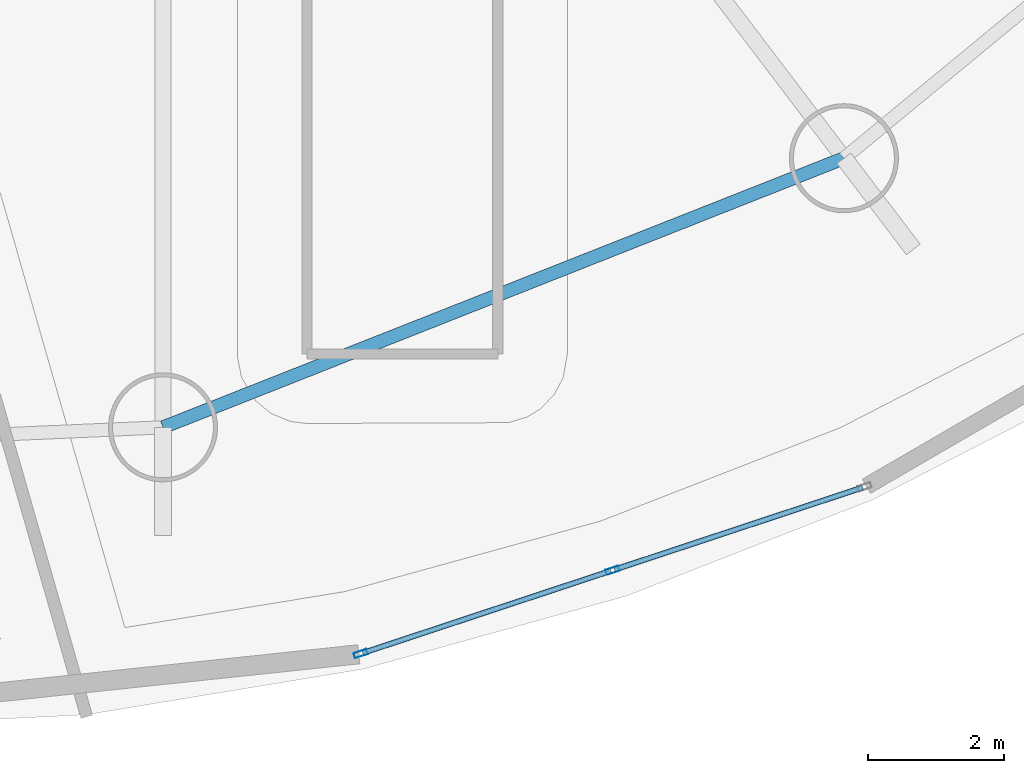
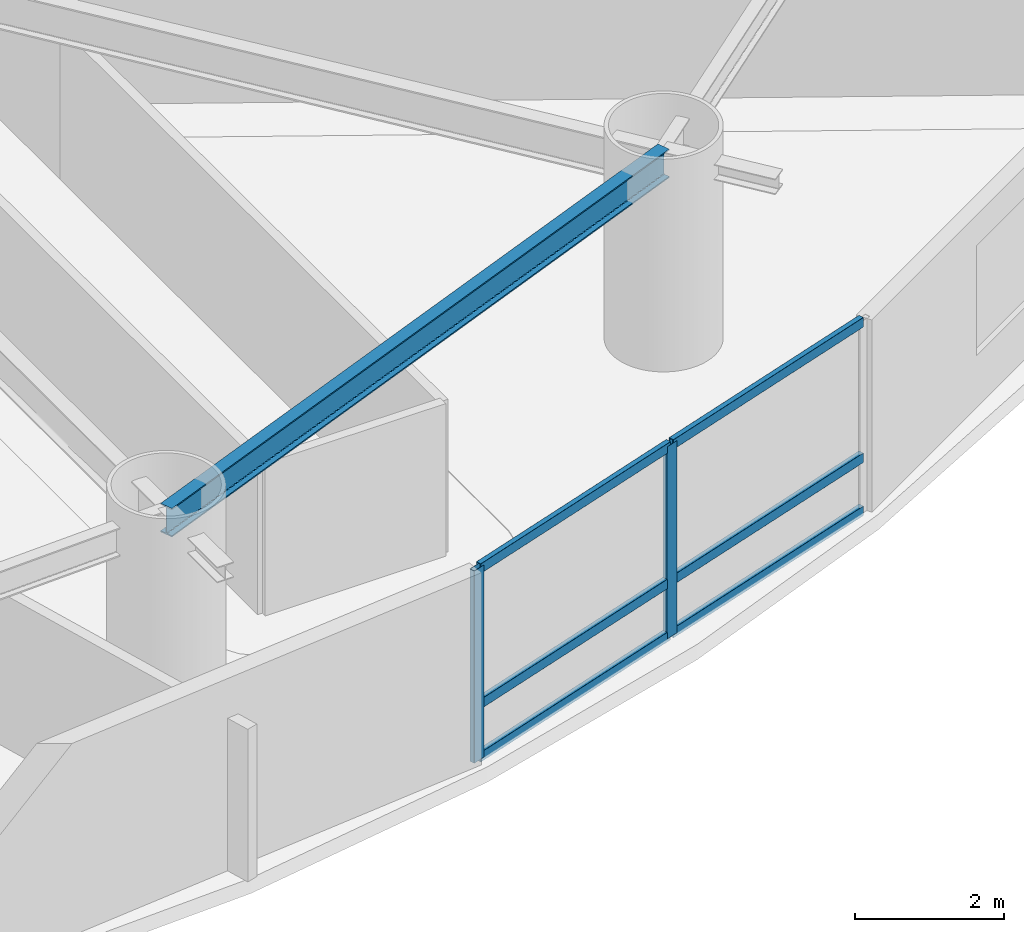
# One storey, part 6 of 25: 8 members, 1 beam, 1 element without a shape of its own.
"""IFC4 building model written with IfcOpenShell, lengths in metres."""

from ifc_helpers import new_model, si_unit, direction, frame, origin, origin_2d, place, context, subcontext, project, spatial, hollow_rectangle, i_section, extrude, material, layer, layer_set, material_profile, profile_set, type_object, element, aggregate, save


model = new_model("IFC4")

# Units and contexts
model_context = context("Model", 3, precision=1e-05, world=origin(), true_north=direction((0.0, 1.0)))
body_context = subcontext(model_context, "Body", "Model", "MODEL_VIEW")
ifc_project = project(units=[si_unit("LENGTHUNIT", "METRE"), si_unit("AREAUNIT", "SQUARE_METRE"), si_unit("VOLUMEUNIT", "CUBIC_METRE"), si_unit("PLANEANGLEUNIT", "RADIAN"), si_unit("MASSUNIT", "GRAM", prefix="KILO")], contexts=[model_context])

# Site, building, storey
site_placement = place(None, origin())
site = spatial("IfcSite", under=ifc_project, at=site_placement, CompositionType="ELEMENT")
building_placement = place(site_placement, origin())
building = spatial("IfcBuilding", under=site, at=building_placement, Name="Bramvorn Convention Spire", CompositionType="ELEMENT")
storey_placement = place(building_placement, frame((0.0, 0.0, 93.89990234375)))
storey = spatial("IfcBuildingStorey", under=building, at=storey_placement, Name="L22", CompositionType="ELEMENT", Elevation=93.89990234375)

# Beam
ifc_material_1 = material(Name="Steel CSA G40.21 Grade 350 (350W)", Category="steel")
ifc_material_profile_1 = material_profile(ifc_material_1, i_section(OverallWidth=0.194091796875, OverallDepth=0.468994140625, WebThickness=0.0126953125, FlangeThickness=0.0205078125, FilletRadius=0.01806640625, at=origin_2d()))
ifc_profile_set_1 = profile_set([ifc_material_profile_1], Name="Steel CSA G40.21 Grade 350 (350W) - W460X106")
beam_type = type_object("IfcBeamType", Name="BM-W460X106", PredefinedType="SPANDREL", material=ifc_profile_set_1)
beam_placement = place(storey_placement, frame((46.23779296875, 5.42333984375, 2.91552734375), z_axis=(0.93000950609, 0.367535465749, 0.0), x_axis=(-0.367535465749, 0.93000950609, 0.0)))
element("IfcBeam", 1, at=beam_placement, inside=storey, type_object=beam_type, Name="L22 mega-column ring beam 14", PredefinedType="SPANDREL", context=body_context, shape_type="SweptSolid", body=[
    extrude(i_section(OverallWidth=0.194091796875, OverallDepth=0.468994140625, WebThickness=0.0126953125, FlangeThickness=0.0205078125, FilletRadius=0.01806640625, at=origin_2d()), origin(), (0.0, 0.0, 1.0), 10.74169921875),
])

# Curtain wall, members
ifc_material_2 = material(Name="Anodised Bronze Unitised Curtain Wall", Category="aluminium")
ifc_layer = layer(ifc_material_2, 0.179931640625)
ifc_layer_set = layer_set([ifc_layer], Name="Anodised Bronze Unitised Curtain Wall - CW-HTL-FRIT")
curtain_wall_type = type_object("IfcCurtainWallType", Name="CW-HTL-FRIT", PredefinedType="USERDEFINED", material=ifc_layer_set)
curtain_wall_placement = place(storey_placement, origin())
curtain_wall = element("IfcCurtainWall", 2, at=curtain_wall_placement, inside=storey, type_object=curtain_wall_type, Name="L22 fritted glass curtain wall 21", ObjectType="UNITISED CURTAIN WALL", PredefinedType="USERDEFINED")
ifc_material_3 = material(Name="Anodised Bronze Aluminium 6063-T6", Category="aluminium")
ifc_material_profile_2 = material_profile(ifc_material_3, hollow_rectangle(XDim=0.080078125, YDim=0.199951171875, WallThickness=0.00390625, InnerFilletRadius=0.0009765625, OuterFilletRadius=0.00390625, at=origin_2d()))
ifc_profile_set_2 = profile_set([ifc_material_profile_2], Name="Anodised Bronze Aluminium 6063-T6 - CWM80X200")
member_type_1 = type_object("IfcMemberType", Name="CW-MUL-180", PredefinedType="MULLION", material=ifc_profile_set_2)
member_1_placement = place(storey_placement, frame((52.83447265625, 3.326416015625, 0.0), z_axis=(0.0, 0.0, 1.0), x_axis=(0.314269124732, -0.949333933471, 0.0)))
member_1 = element("IfcMember", 3, at=member_1_placement, type_object=member_type_1, Name="CW2 mullion 2", PredefinedType="MULLION", context=body_context, shape_type="SweptSolid", body=[
    extrude(hollow_rectangle(XDim=0.080078125, YDim=0.199951171875, WallThickness=0.00390625, InnerFilletRadius=0.0009765625, OuterFilletRadius=0.00390625, at=origin_2d()), origin(), (0.0, 0.0, 1.0), 3.150146484375),
])
member_2_placement = place(storey_placement, frame((49.13916015625, 2.10302734375, 0.0), z_axis=(0.0, 0.0, 1.0), x_axis=(0.314269124732, -0.949333933471, 0.0)))
member_2 = element("IfcMember", 4, at=member_2_placement, type_object=member_type_1, Name="CW2 mullion 3", PredefinedType="MULLION", context=body_context, shape_type="SweptSolid", body=[
    extrude(hollow_rectangle(XDim=0.080078125, YDim=0.199951171875, WallThickness=0.00390625, InnerFilletRadius=0.0009765625, OuterFilletRadius=0.00390625, at=origin_2d()), origin(), (0.0, 0.0, 1.0), 3.150146484375),
])
ifc_material_profile_3 = material_profile(ifc_material_3, hollow_rectangle(XDim=0.080078125, YDim=0.159912109375, WallThickness=0.00390625, InnerFilletRadius=0.0009765625, OuterFilletRadius=0.00390625, at=origin_2d()))
ifc_profile_set_3 = profile_set([ifc_material_profile_3], Name="Anodised Bronze Aluminium 6063-T6 - CWT80X160")
member_type_2 = type_object("IfcMemberType", Name="CW-TRN-150", PredefinedType="USERDEFINED", material=ifc_profile_set_3)
member_3_placement = place(storey_placement, frame((56.501220703125, 4.540283203125, 0.030029296875), z_axis=(-0.949343711939, -0.314239584714, 0.0), x_axis=(0.314239584714, -0.949343711939, 0.0)))
member_3 = element("IfcMember", 5, at=member_3_placement, type_object=member_type_2, Name="CW2 transom 1.1", ObjectType="TRANSOM", PredefinedType="USERDEFINED", context=body_context, shape_type="SweptSolid", body=[
    extrude(hollow_rectangle(XDim=0.080078125, YDim=0.159912109375, WallThickness=0.00390625, InnerFilletRadius=0.0009765625, OuterFilletRadius=0.00390625, at=origin_2d()), origin(), (0.0, 0.0, 1.0), 3.83251953125),
])
member_4_placement = place(storey_placement, frame((56.501220703125, 4.540283203125, 0.900146484375), z_axis=(-0.949343711939, -0.314239584714, 0.0), x_axis=(0.314239584714, -0.949343711939, 0.0)))
member_4 = element("IfcMember", 6, at=member_4_placement, type_object=member_type_2, Name="CW2 transom 1.2", ObjectType="TRANSOM", PredefinedType="USERDEFINED", context=body_context, shape_type="SweptSolid", body=[
    extrude(hollow_rectangle(XDim=0.080078125, YDim=0.159912109375, WallThickness=0.00390625, InnerFilletRadius=0.0009765625, OuterFilletRadius=0.00390625, at=origin_2d()), origin(), (0.0, 0.0, 1.0), 3.83251953125),
])
member_5_placement = place(storey_placement, frame((56.501220703125, 4.540283203125, 3.1201171875), z_axis=(-0.949343711939, -0.314239584714, 0.0), x_axis=(0.314239584714, -0.949343711939, 0.0)))
member_5 = element("IfcMember", 7, at=member_5_placement, type_object=member_type_2, Name="CW2 transom 1.3", ObjectType="TRANSOM", PredefinedType="USERDEFINED", context=body_context, shape_type="SweptSolid", body=[
    extrude(hollow_rectangle(XDim=0.080078125, YDim=0.159912109375, WallThickness=0.00390625, InnerFilletRadius=0.0009765625, OuterFilletRadius=0.00390625, at=origin_2d()), origin(), (0.0, 0.0, 1.0), 3.83251953125),
])
member_6_placement = place(storey_placement, frame((52.805908203125, 3.31689453125, 0.030029296875), z_axis=(-0.949337421066, -0.314258589325, 0.0), x_axis=(0.314258589325, -0.949337421066, 0.0)))
member_6 = element("IfcMember", 8, at=member_6_placement, type_object=member_type_2, Name="CW2 transom 2.1", ObjectType="TRANSOM", PredefinedType="USERDEFINED", context=body_context, shape_type="SweptSolid", body=[
    extrude(hollow_rectangle(XDim=0.080078125, YDim=0.159912109375, WallThickness=0.00390625, InnerFilletRadius=0.0009765625, OuterFilletRadius=0.00390625, at=origin_2d()), origin(), (0.0, 0.0, 1.0), 3.832275390625),
])
member_7_placement = place(storey_placement, frame((52.805908203125, 3.31689453125, 0.900146484375), z_axis=(-0.949337421066, -0.314258589325, 0.0), x_axis=(0.314258589325, -0.949337421066, 0.0)))
member_7 = element("IfcMember", 9, at=member_7_placement, type_object=member_type_2, Name="CW2 transom 2.2", ObjectType="TRANSOM", PredefinedType="USERDEFINED", context=body_context, shape_type="SweptSolid", body=[
    extrude(hollow_rectangle(XDim=0.080078125, YDim=0.159912109375, WallThickness=0.00390625, InnerFilletRadius=0.0009765625, OuterFilletRadius=0.00390625, at=origin_2d()), origin(), (0.0, 0.0, 1.0), 3.832275390625),
])
member_8_placement = place(storey_placement, frame((52.805908203125, 3.31689453125, 3.1201171875), z_axis=(-0.949337421066, -0.314258589325, 0.0), x_axis=(0.314258589325, -0.949337421066, 0.0)))
member_8 = element("IfcMember", 10, at=member_8_placement, type_object=member_type_2, Name="CW2 transom 2.3", ObjectType="TRANSOM", PredefinedType="USERDEFINED", context=body_context, shape_type="SweptSolid", body=[
    extrude(hollow_rectangle(XDim=0.080078125, YDim=0.159912109375, WallThickness=0.00390625, InnerFilletRadius=0.0009765625, OuterFilletRadius=0.00390625, at=origin_2d()), origin(), (0.0, 0.0, 1.0), 3.832275390625),
])
aggregate(curtain_wall, [member_1, member_2, member_3, member_4, member_5, member_6, member_7, member_8])

save(model, "model.ifc")
